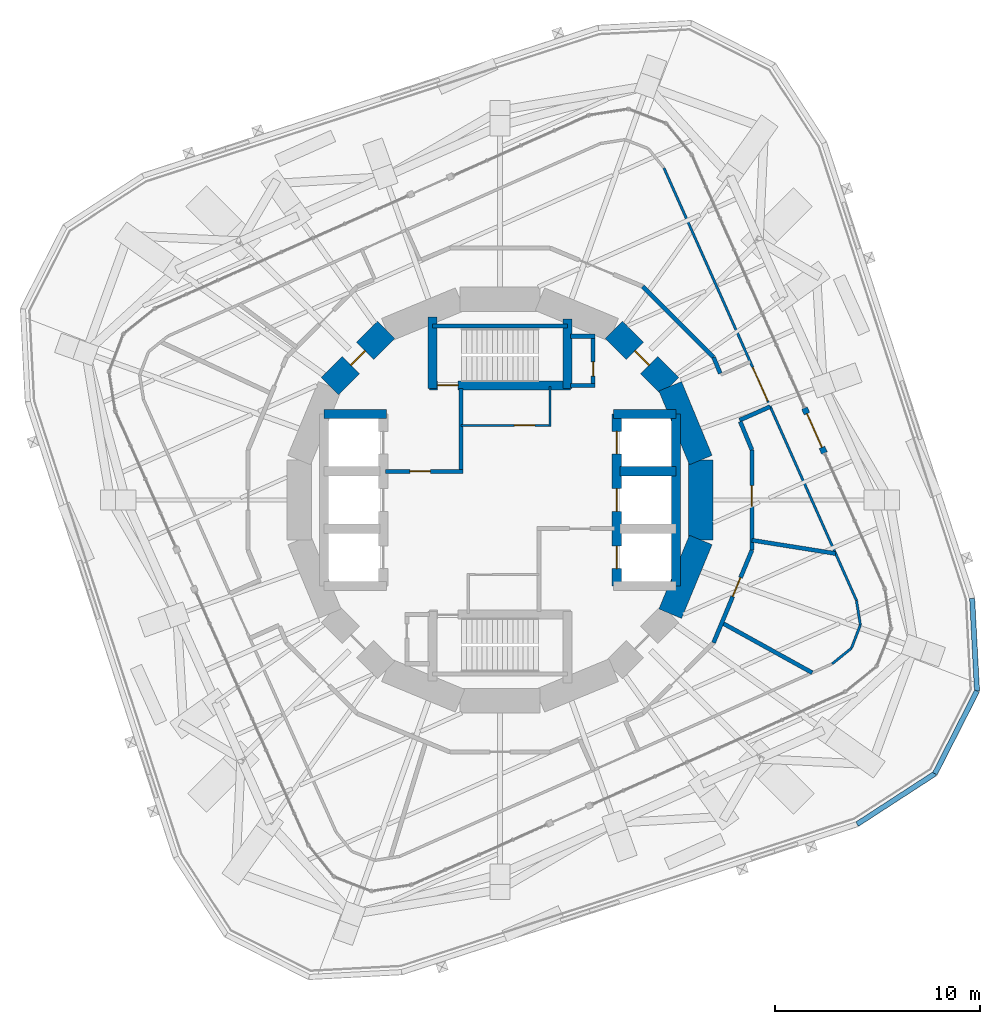
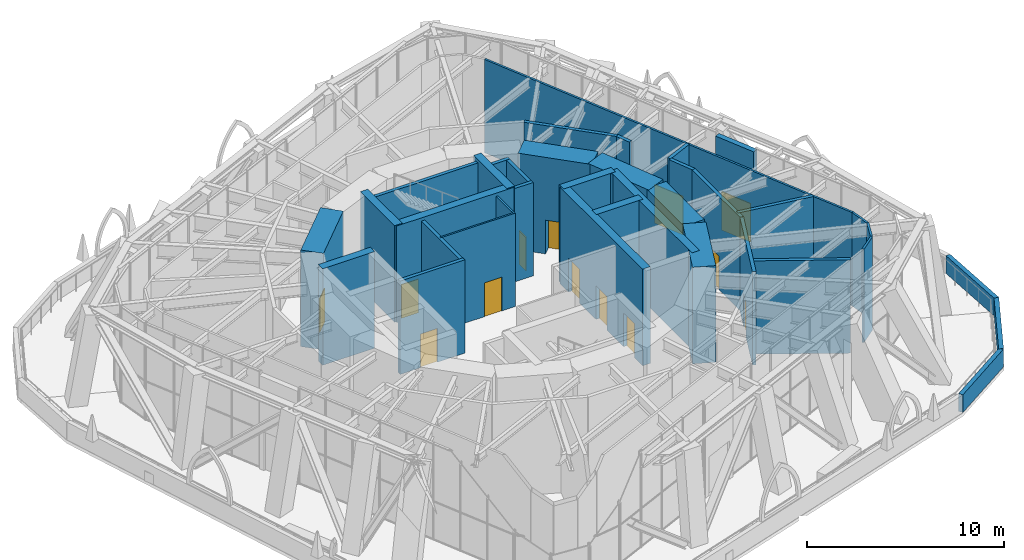
# One storey, part 14 of 18: 37 walls, 13 doors, 13 openings.
"""IFC4 building model written with IfcOpenShell, lengths in metres."""

from ifc_helpers import new_model, si_unit, direction, frame, frame_2d, origin, place, context, subcontext, project, spatial, rectangle, extrude, material, layer, layer_set, type_object, element, fill, save


model = new_model("IFC4")

# Units and contexts
model_context = context("Model", 3, precision=1e-05, world=origin(), true_north=direction((0.0, 1.0)))
body_context = subcontext(model_context, "Body", "Model", "MODEL_VIEW")
ifc_project = project(units=[si_unit("LENGTHUNIT", "METRE"), si_unit("AREAUNIT", "SQUARE_METRE"), si_unit("VOLUMEUNIT", "CUBIC_METRE"), si_unit("PLANEANGLEUNIT", "RADIAN"), si_unit("MASSUNIT", "GRAM", prefix="KILO")], contexts=[model_context])

# Site, building, storey
site_placement = place(None, origin())
site = spatial("IfcSite", under=ifc_project, at=site_placement, CompositionType="ELEMENT")
building_placement = place(site_placement, origin())
building = spatial("IfcBuilding", under=site, at=building_placement, Name="Nakasero Lantern House", CompositionType="ELEMENT")
storey_placement = place(building_placement, frame((0.0, 0.0, 176.449951171875)))
storey = spatial("IfcBuildingStorey", under=building, at=storey_placement, Name="L43", CompositionType="ELEMENT", Elevation=176.449951171875)

# Wall, openings, doors
ifc_material_1 = material(Name="Concrete C50/60", Category="concrete")
ifc_layer_1 = layer(ifc_material_1, 0.449951171875)
ifc_layer_set_1 = layer_set([ifc_layer_1], Name="Core inner wall 450")
wall_type_1 = type_object("IfcWallType", Name="Core inner wall 450", PredefinedType="SHEAR", material=ifc_layer_set_1)
wall_1_placement = place(storey_placement, frame((5.699951171875, -4.199951171875, 0.0), z_axis=(0.0, 0.0, 1.0), x_axis=(0.0, 1.0, 0.0)))
wall_1 = element("IfcWall", 1, at=wall_1_placement, inside=storey, type_object=wall_type_1, Name="Core inner wall L43 LE", PredefinedType="SHEAR", context=body_context, shape_type="SweptSolid", body=[
    extrude(rectangle(XDim=8.39990234375, YDim=0.449951171875, at=frame_2d((4.199951171875, 0.0))), origin(), (0.0, 0.0, 1.0), 6.0),
])
opening_1_placement = place(wall_1_placement, frame((0.85009765625, 0.0, 0.0)))
opening_1 = element("IfcOpeningElement", 2, at=opening_1_placement, cuts=wall_1, Name="Opening LD", PredefinedType="OPENING", context=body_context, shape_type="SweptSolid", body=[
    extrude(rectangle(XDim=1.10009765625, YDim=2.10009765625, at=frame_2d((0.550048828125, 1.050048828125))), frame((0.0, 0.244873046875, 0.0), z_axis=(0.0, -1.0, 0.0), x_axis=(1.0, 0.0, 0.0)), (0.0, 0.0, 1.0), 0.489990234375),
])
opening_2_placement = place(wall_1_placement, frame((3.64990234375, 0.0, 0.0)))
opening_2 = element("IfcOpeningElement", 3, at=opening_2_placement, cuts=wall_1, Name="Opening LD", PredefinedType="OPENING", context=body_context, shape_type="SweptSolid", body=[
    extrude(rectangle(XDim=1.10009765625, YDim=2.10009765625, at=frame_2d((0.550048828125, 1.050048828125))), frame((0.0, 0.244873046875, 0.0), z_axis=(0.0, -1.0, 0.0), x_axis=(1.0, 0.0, 0.0)), (0.0, 0.0, 1.0), 0.489990234375),
])
opening_3_placement = place(wall_1_placement, frame((6.449951171875, 0.0, 0.0)))
opening_3 = element("IfcOpeningElement", 4, at=opening_3_placement, cuts=wall_1, Name="Opening LD", PredefinedType="OPENING", context=body_context, shape_type="SweptSolid", body=[
    extrude(rectangle(XDim=1.10009765625, YDim=2.10009765625, at=frame_2d((0.550048828125, 1.050048828125))), frame((0.0, 0.244873046875, 0.0), z_axis=(0.0, -1.0, 0.0), x_axis=(1.0, 0.0, 0.0)), (0.0, 0.0, 1.0), 0.489990234375),
])
ifc_material_2 = material(Name="Steel S355", Category="steel")
door_type_1 = type_object("IfcDoorType", Name="Lift landing door E120 1100", OperationType="SLIDING_TO_LEFT", PredefinedType="DOOR", material=ifc_material_2)
door_1_placement = place(opening_1_placement, origin())
door_1 = element("IfcDoor", 5, at=door_1_placement, inside=storey, type_object=door_type_1, Name="Lift landing door LE1", OperationType="SLIDING_TO_LEFT", OverallHeight=2.10009765625, OverallWidth=1.10009765625, PredefinedType="DOOR", context=body_context, shape_type="SweptSolid", body=[
    extrude(rectangle(XDim=1.10009765625, YDim=2.10009765625, at=frame_2d((0.550048828125, 1.050048828125))), frame((0.0, 0.02490234375, 0.0), z_axis=(0.0, -1.0, 0.0), x_axis=(1.0, 0.0, 0.0)), (0.0, 0.0, 1.0), 0.050048828125),
])
fill(opening_1, door_1)
door_2_placement = place(opening_2_placement, origin())
door_2 = element("IfcDoor", 6, at=door_2_placement, inside=storey, type_object=door_type_1, Name="Lift landing door LE2", OperationType="SLIDING_TO_LEFT", OverallHeight=2.10009765625, OverallWidth=1.10009765625, PredefinedType="DOOR", context=body_context, shape_type="SweptSolid", body=[
    extrude(rectangle(XDim=1.10009765625, YDim=2.10009765625, at=frame_2d((0.550048828125, 1.050048828125))), frame((0.0, 0.02490234375, 0.0), z_axis=(0.0, -1.0, 0.0), x_axis=(1.0, 0.0, 0.0)), (0.0, 0.0, 1.0), 0.050048828125),
])
fill(opening_2, door_2)
door_3_placement = place(opening_3_placement, origin())
door_3 = element("IfcDoor", 7, at=door_3_placement, inside=storey, type_object=door_type_1, Name="Lift landing door LE3", OperationType="SLIDING_TO_LEFT", OverallHeight=2.10009765625, OverallWidth=1.10009765625, PredefinedType="DOOR", context=body_context, shape_type="SweptSolid", body=[
    extrude(rectangle(XDim=1.10009765625, YDim=2.10009765625, at=frame_2d((0.550048828125, 1.050048828125))), frame((0.0, 0.02490234375, 0.0), z_axis=(0.0, -1.0, 0.0), x_axis=(1.0, 0.0, 0.0)), (0.0, 0.0, 1.0), 0.050048828125),
])
fill(opening_3, door_3)

# Walls
for number, where, z_axis, x_axis, name in (
    (8, (-8.60009765625, 4.199951171875, 0.0), (0.0, 0.0, 1.0), (1.0, 0.0, 0.0), "Core inner wall L43 LWN"),
    (9, (5.550048828125, 4.199951171875, 0.0), (0.0, 0.0, 1.0), (1.0, 0.0, 0.0), "Core inner wall L43 LEN"),
):
    element("IfcWall", number, at=place(storey_placement, frame(where, z_axis=z_axis, x_axis=x_axis)), inside=storey, type_object=wall_type_1, Name=name, PredefinedType="SHEAR", context=body_context, shape_type="SweptSolid", body=[
        extrude(rectangle(XDim=3.050048828125, YDim=0.449951171875, at=frame_2d((1.52490234375, 0.0))), origin(), (0.0, 0.0, 1.0), 6.0),
    ])
wall_2_placement = place(storey_placement, frame((8.60009765625, -4.199951171875, 0.0), z_axis=(0.0, 0.0, 1.0), x_axis=(0.0, 1.0, 0.0)))
element("IfcWall", 10, at=wall_2_placement, inside=storey, type_object=wall_type_1, Name="Core inner wall L43 LEB", PredefinedType="SHEAR", context=body_context, shape_type="SweptSolid", body=[
    extrude(rectangle(XDim=8.39990234375, YDim=0.449951171875, at=frame_2d((4.199951171875, 0.0))), origin(), (0.0, 0.0, 1.0), 6.0),
])
wall_3_placement = place(storey_placement, frame((5.85009765625, 1.39990234375, 0.0), z_axis=(0.0, 0.0, 1.0), x_axis=(1.0, 0.0, 0.0)))
element("IfcWall", 11, at=wall_3_placement, inside=storey, type_object=wall_type_1, Name="Core inner wall L43 LE2", PredefinedType="SHEAR", context=body_context, shape_type="SweptSolid", body=[
    extrude(rectangle(XDim=2.75, YDim=0.449951171875, at=frame_2d((1.375, 0.0))), origin(), (0.0, 0.0, 1.0), 6.0),
])

# Wall, opening, door
wall_4_placement = place(storey_placement, frame((-3.449951171875, 5.60009765625, 0.0), z_axis=(0.0, 0.0, 1.0), x_axis=(1.0, 0.0, 0.0)))
wall_4 = element("IfcWall", 12, at=wall_4_placement, inside=storey, type_object=wall_type_1, Name="Core inner wall L43 SN", PredefinedType="SHEAR", context=body_context, shape_type="SweptSolid", body=[
    extrude(rectangle(XDim=6.89990234375, YDim=0.449951171875, at=frame_2d((3.449951171875, 0.0))), origin(), (0.0, 0.0, 1.0), 6.0),
])
opening_4_placement = place(wall_4_placement, frame((0.39990234375, 0.0, 0.0)))
opening_4 = element("IfcOpeningElement", 13, at=opening_4_placement, cuts=wall_4, Name="Opening D05", PredefinedType="OPENING", context=body_context, shape_type="SweptSolid", body=[
    extrude(rectangle(XDim=1.0, YDim=2.10009765625, at=frame_2d((0.5, 1.050048828125))), frame((0.0, 0.244873046875, 0.0), z_axis=(0.0, -1.0, 0.0), x_axis=(1.0, 0.0, 0.0)), (0.0, 0.0, 1.0), 0.489990234375),
])
ifc_material_3 = material(Name="Timber C24", Category="wood")
door_type_2 = type_object("IfcDoorType", Name="Core door FD60S 1000", OperationType="SINGLE_SWING_LEFT", PredefinedType="DOOR", material=ifc_material_3)
door_4_placement = place(opening_4_placement, origin())
door_4 = element("IfcDoor", 14, at=door_4_placement, inside=storey, type_object=door_type_2, Name="Door L43 D-ST1", OperationType="SINGLE_SWING_LEFT", OverallHeight=2.10009765625, OverallWidth=1.0, PredefinedType="DOOR", context=body_context, shape_type="SweptSolid", body=[
    extrude(rectangle(XDim=1.0, YDim=2.10009765625, at=frame_2d((0.5, 1.050048828125))), frame((0.0, 0.02490234375, 0.0), z_axis=(0.0, -1.0, 0.0), x_axis=(1.0, 0.0, 0.0)), (0.0, 0.0, 1.0), 0.050048828125),
])
fill(opening_4, door_4)

# Walls
wall_5_placement = place(storey_placement, frame((-3.300048828125, 5.449951171875, 0.0), z_axis=(0.0, 0.0, 1.0), x_axis=(0.0, 1.0, 0.0)))
element("IfcWall", 15, at=wall_5_placement, inside=storey, type_object=wall_type_1, Name="Core inner wall L43 SNW", PredefinedType="SHEAR", context=body_context, shape_type="SweptSolid", body=[
    extrude(rectangle(XDim=3.5, YDim=0.449951171875, at=frame_2d((1.75, 0.0))), origin(), (0.0, 0.0, 1.0), 6.0),
])
wall_6_placement = place(storey_placement, frame((3.300048828125, 5.449951171875, 0.0), z_axis=(0.0, 0.0, 1.0), x_axis=(0.0, 1.0, 0.0)))
element("IfcWall", 16, at=wall_6_placement, inside=storey, type_object=wall_type_1, Name="Core inner wall L43 SNE", PredefinedType="SHEAR", context=body_context, shape_type="SweptSolid", body=[
    extrude(rectangle(XDim=3.400146484375, YDim=0.449951171875, at=frame_2d((1.7001953125, 0.0))), origin(), (0.0, 0.0, 1.0), 6.0),
])

# Wall, opening, door
ifc_material_4 = material(Name="Blockwork", Category="masonry")
ifc_layer_2 = layer(ifc_material_4, 0.10009765625)
ifc_layer_set_2 = layer_set([ifc_layer_2], Name="Core room wall 100")
wall_type_2 = type_object("IfcWallType", Name="Core room wall 100", PredefinedType="PARTITIONING", material=ifc_layer_set_2)
wall_7_placement = place(storey_placement, frame((-1.89990234375, 3.64990234375, 0.0), z_axis=(0.0, 0.0, 1.0), x_axis=(1.0, 0.0, 0.0)))
wall_7 = element("IfcWall", 17, at=wall_7_placement, inside=storey, type_object=wall_type_2, Name="Core room wall L43 CR-NES", PredefinedType="PARTITIONING", context=body_context, shape_type="SweptSolid", body=[
    extrude(rectangle(XDim=4.39990234375, YDim=0.10009765625, at=frame_2d((2.199951171875, 0.0))), origin(), (0.0, 0.0, 1.0), 5.800048828125),
])
opening_5_placement = place(wall_7_placement, frame((2.60009765625, 0.0, 0.0)))
opening_5 = element("IfcOpeningElement", 18, at=opening_5_placement, cuts=wall_7, Name="Opening D07", PredefinedType="OPENING", context=body_context, shape_type="SweptSolid", body=[
    extrude(rectangle(XDim=1.0, YDim=2.10009765625, at=frame_2d((0.5, 1.050048828125))), frame((0.0, 0.070068359375, 0.0), z_axis=(0.0, -1.0, 0.0), x_axis=(1.0, 0.0, 0.0)), (0.0, 0.0, 1.0), 0.14013671875),
])
ifc_material_5 = material(Name="Timber C24", Category="wood")
door_type_3 = type_object("IfcDoorType", Name="Room door FD30S 1000", OperationType="SINGLE_SWING_LEFT", PredefinedType="DOOR", material=ifc_material_5)
door_5_placement = place(opening_5_placement, origin())
door_5 = element("IfcDoor", 19, at=door_5_placement, inside=storey, type_object=door_type_3, Name="Door L43 D-CR-NE", OperationType="SINGLE_SWING_RIGHT", OverallHeight=2.10009765625, OverallWidth=1.0, PredefinedType="DOOR", context=body_context, shape_type="SweptSolid", body=[
    extrude(rectangle(XDim=1.0, YDim=2.10009765625, at=frame_2d((0.5, 1.050048828125))), frame((0.0, 0.02490234375, 0.0), z_axis=(0.0, -1.0, 0.0), x_axis=(1.0, 0.0, 0.0)), (0.0, 0.0, 1.0), 0.050048828125),
])
fill(opening_5, door_5)

# Walls
wall_8_placement = place(storey_placement, frame((2.449951171875, 3.60009765625, 0.0), z_axis=(0.0, 0.0, 1.0), x_axis=(0.0, 1.0, 0.0)))
element("IfcWall", 20, at=wall_8_placement, inside=storey, type_object=wall_type_2, Name="Core room wall L43 CR-NEE", PredefinedType="PARTITIONING", context=body_context, shape_type="SweptSolid", body=[
    extrude(rectangle(XDim=1.949951171875, YDim=0.10009765625, at=frame_2d((0.97509765625, 0.0))), origin(), (0.0, 0.0, 1.0), 5.800048828125),
])
ifc_material_6 = material(Name="Concrete C50/60", Category="concrete")
ifc_layer_3 = layer(ifc_material_6, 1.199951171875)
ifc_layer_set_3 = layer_set([ifc_layer_3], Name="Core wall 1200")
wall_type_3 = type_object("IfcWallType", Name="Core wall 1200", PredefinedType="SHEAR", material=ifc_layer_set_3)
wall_9_placement = place(storey_placement, frame((9.807861328125, 1.950927734375, 0.0), z_axis=(0.0, 0.0, 1.0), x_axis=(-0.382690736062, 0.923876507187, 0.0)))
element("IfcWall", 21, at=wall_9_placement, inside=storey, type_object=wall_type_3, Name="Core wall L43 facet 1", PredefinedType="SHEAR", context=body_context, shape_type="SweptSolid", body=[
    extrude(rectangle(XDim=3.90185546875, YDim=1.199951171875, at=frame_2d((1.950927734375, 0.0))), origin(), (0.0, 0.0, 1.0), 6.0),
])

# Wall, opening, door
wall_10_placement = place(storey_placement, frame((8.314697265625, 5.5556640625, 0.0), z_axis=(0.0, 0.0, 1.0), x_axis=(-0.707106781187, 0.707106781187, 0.0)))
wall_10 = element("IfcWall", 22, at=wall_10_placement, inside=storey, type_object=wall_type_3, Name="Core wall L43 facet 2", PredefinedType="SHEAR", context=body_context, shape_type="SweptSolid", body=[
    extrude(rectangle(XDim=3.90185546875, YDim=1.199951171875, at=frame_2d((1.950927734375, 0.0))), origin(), (0.0, 0.0, 1.0), 6.0),
])
opening_6_placement = place(wall_10_placement, frame((1.450927734375, 0.0, 0.0)))
opening_6 = element("IfcOpeningElement", 23, at=opening_6_placement, cuts=wall_10, Name="Opening D05", PredefinedType="OPENING", context=body_context, shape_type="SweptSolid", body=[
    extrude(rectangle(XDim=1.0, YDim=2.10009765625, at=frame_2d((0.5, 1.050048828125))), frame((0.0, 0.619873046875, 0.0), z_axis=(0.0, -1.0, 0.0), x_axis=(1.0, 0.0, 0.0)), (0.0, 0.0, 1.0), 1.239990234375),
])
door_6_placement = place(opening_6_placement, origin())
door_6 = element("IfcDoor", 24, at=door_6_placement, inside=storey, type_object=door_type_2, Name="Door L43 D-CORE02", OperationType="SINGLE_SWING_LEFT", OverallHeight=2.10009765625, OverallWidth=1.0, PredefinedType="DOOR", context=body_context, shape_type="SweptSolid", body=[
    extrude(rectangle(XDim=1.0, YDim=2.10009765625, at=frame_2d((0.5, 1.050048828125))), frame((0.0, 0.02490234375, 0.0), z_axis=(0.0, -1.0, 0.0), x_axis=(1.0, 0.0, 0.0)), (0.0, 0.0, 1.0), 0.050048828125),
])
fill(opening_6, door_6)

wall_11_placement = place(storey_placement, frame((-5.5556640625, 8.314697265625, 0.0), z_axis=(0.0, 0.0, 1.0), x_axis=(-0.707106781187, -0.707106781187, 0.0)))
wall_11 = element("IfcWall", 25, at=wall_11_placement, inside=storey, type_object=wall_type_3, Name="Core wall L43 facet 6", PredefinedType="SHEAR", context=body_context, shape_type="SweptSolid", body=[
    extrude(rectangle(XDim=3.90185546875, YDim=1.199951171875, at=frame_2d((1.950927734375, 0.0))), origin(), (0.0, 0.0, 1.0), 6.0),
])
opening_7_placement = place(wall_11_placement, frame((1.450927734375, 0.0, 0.0)))
opening_7 = element("IfcOpeningElement", 26, at=opening_7_placement, cuts=wall_11, Name="Opening D05", PredefinedType="OPENING", context=body_context, shape_type="SweptSolid", body=[
    extrude(rectangle(XDim=1.0, YDim=2.10009765625, at=frame_2d((0.5, 1.050048828125))), frame((0.0, 0.619873046875, 0.0), z_axis=(0.0, -1.0, 0.0), x_axis=(1.0, 0.0, 0.0)), (0.0, 0.0, 1.0), 1.239990234375),
])
door_7_placement = place(opening_7_placement, origin())
door_7 = element("IfcDoor", 27, at=door_7_placement, inside=storey, type_object=door_type_2, Name="Door L43 D-CORE06", OperationType="SINGLE_SWING_LEFT", OverallHeight=2.10009765625, OverallWidth=1.0, PredefinedType="DOOR", context=body_context, shape_type="SweptSolid", body=[
    extrude(rectangle(XDim=1.0, YDim=2.10009765625, at=frame_2d((0.5, 1.050048828125))), frame((0.0, 0.02490234375, 0.0), z_axis=(0.0, -1.0, 0.0), x_axis=(1.0, 0.0, 0.0)), (0.0, 0.0, 1.0), 0.050048828125),
])
fill(opening_7, door_7)

# Walls
for number, where, z_axis, x_axis, name in (
    (28, (8.314697265625, -5.5556640625, 0.0), (0.0, 0.0, 1.0), (0.382690736062, 0.923876507187, 0.0), "Core wall L43 facet 15"),
    (29, (9.807861328125, -1.950927734375, 0.0), (0.0, 0.0, 1.0), (0.0, 1.0, 0.0), "Core wall L43 facet 16"),
):
    element("IfcWall", number, at=place(storey_placement, frame(where, z_axis=z_axis, x_axis=x_axis)), inside=storey, type_object=wall_type_3, Name=name, PredefinedType="SHEAR", context=body_context, shape_type="SweptSolid", body=[
        extrude(rectangle(XDim=3.90185546875, YDim=1.199951171875, at=frame_2d((1.950927734375, 0.0))), origin(), (0.0, 0.0, 1.0), 6.0),
    ])

# Wall, opening, door
ifc_material_7 = material(Name="Blockwork", Category="masonry")
ifc_layer_4 = layer(ifc_material_7, 0.199951171875)
ifc_layer_set_4 = layer_set([ifc_layer_4], Name="Corridor wall 200")
wall_type_4 = type_object("IfcWallType", Name="Corridor wall 200", PredefinedType="PARTITIONING", material=ifc_layer_set_4)
wall_12_placement = place(storey_placement, frame((12.307861328125, 2.4482421875, 0.0), z_axis=(0.0, 0.0, 1.0), x_axis=(0.0, -1.0, 0.0)))
wall_12 = element("IfcWall", 30, at=wall_12_placement, inside=storey, type_object=wall_type_4, Name="Corridor wall L43 TC00", PredefinedType="PARTITIONING", context=body_context, shape_type="SweptSolid", body=[
    extrude(rectangle(XDim=4.896484375, YDim=0.199951171875, at=frame_2d((2.4482421875, 0.0))), origin(), (0.0, 0.0, 1.0), 5.800048828125),
])
opening_8_placement = place(wall_12_placement, frame((1.74462890625, 0.0, 0.0)))
opening_8 = element("IfcOpeningElement", 31, at=opening_8_placement, cuts=wall_12, Name="Opening D13", PredefinedType="OPENING", context=body_context, shape_type="SweptSolid", body=[
    extrude(rectangle(XDim=1.0, YDim=2.10009765625, at=frame_2d((0.5, 1.050048828125))), frame((0.0, 0.119873046875, 0.0), z_axis=(0.0, -1.0, 0.0), x_axis=(1.0, 0.0, 0.0)), (0.0, 0.0, 1.0), 0.239990234375),
])
ifc_material_8 = material(Name="Steel S355", Category="steel")
door_type_4 = type_object("IfcDoorType", Name="Plant room door FD60 1000", OperationType="SINGLE_SWING_LEFT", PredefinedType="DOOR", material=ifc_material_8)
door_8_placement = place(opening_8_placement, origin())
door_8 = element("IfcDoor", 32, at=door_8_placement, inside=storey, type_object=door_type_4, Name="Door L43 TDR32", OperationType="SINGLE_SWING_LEFT", OverallHeight=2.10009765625, OverallWidth=1.0, PredefinedType="DOOR", context=body_context, shape_type="SweptSolid", body=[
    extrude(rectangle(XDim=1.0, YDim=2.10009765625, at=frame_2d((0.5, 1.050048828125))), frame((0.0, 0.02490234375, 0.0), z_axis=(0.0, -1.0, 0.0), x_axis=(1.0, 0.0, 0.0)), (0.0, 0.0, 1.0), 0.050048828125),
])
fill(opening_8, door_8)

wall_13_placement = place(storey_placement, frame((12.307861328125, -2.4482421875, 0.0), z_axis=(0.0, 0.0, 1.0), x_axis=(-0.382685002919, -0.923878881965, 0.0)))
wall_13 = element("IfcWall", 33, at=wall_13_placement, inside=storey, type_object=wall_type_4, Name="Corridor wall L43 TC01", PredefinedType="PARTITIONING", context=body_context, shape_type="SweptSolid", body=[
    extrude(rectangle(XDim=4.896484375, YDim=0.199951171875, at=frame_2d((2.4482421875, 0.0))), origin(), (0.0, 0.0, 1.0), 5.800048828125),
])
opening_9_placement = place(wall_13_placement, frame((1.457763671875, 0.0, 0.0)))
opening_9 = element("IfcOpeningElement", 34, at=opening_9_placement, cuts=wall_13, Name="Opening D13", PredefinedType="OPENING", context=body_context, shape_type="SweptSolid", body=[
    extrude(rectangle(XDim=1.0, YDim=2.10009765625, at=frame_2d((0.5, 1.050048828125))), frame((0.0, 0.119873046875, 0.0), z_axis=(0.0, -1.0, 0.0), x_axis=(1.0, 0.0, 0.0)), (0.0, 0.0, 1.0), 0.239990234375),
])
door_9_placement = place(opening_9_placement, origin())
door_9 = element("IfcDoor", 35, at=door_9_placement, inside=storey, type_object=door_type_4, Name="Door L43 TDR31", OperationType="SINGLE_SWING_LEFT", OverallHeight=2.10009765625, OverallWidth=1.0, PredefinedType="DOOR", context=body_context, shape_type="SweptSolid", body=[
    extrude(rectangle(XDim=1.0, YDim=2.10009765625, at=frame_2d((0.5, 1.050048828125))), frame((0.0, 0.02490234375, 0.0), z_axis=(0.0, -1.0, 0.0), x_axis=(1.0, 0.0, 0.0)), (0.0, 0.0, 1.0), 0.050048828125),
])
fill(opening_9, door_9)

# Walls
wall_14_placement = place(storey_placement, frame((6.971923828125, 10.43408203125, 0.0), z_axis=(0.0, 0.0, 1.0), x_axis=(0.707106781187, -0.707106781187, 0.0)))
element("IfcWall", 36, at=wall_14_placement, inside=storey, type_object=wall_type_4, Name="Corridor wall L43 TC17", PredefinedType="PARTITIONING", context=body_context, shape_type="SweptSolid", body=[
    extrude(rectangle(XDim=4.896240234375, YDim=0.199951171875, at=frame_2d((2.4482421875, 0.0))), origin(), (0.0, 0.0, 1.0), 5.800048828125),
])
wall_15_placement = place(storey_placement, frame((10.43408203125, 6.971923828125, 0.0), z_axis=(0.0, 0.0, 1.0), x_axis=(0.382596838469, -0.923915396123, 0.0)))
element("IfcWall", 37, at=wall_15_placement, inside=storey, type_object=wall_type_4, Name="Corridor wall L43 TC18", PredefinedType="PARTITIONING", context=body_context, shape_type="SweptSolid", body=[
    extrude(rectangle(XDim=0.8505859375, YDim=0.199951171875, at=frame_2d((0.42529296875, 0.0))), origin(), (0.0, 0.0, 1.0), 5.800048828125),
])
wall_16_placement = place(storey_placement, frame((11.73583984375, 3.829345703125, 0.0), z_axis=(0.0, 0.0, 1.0), x_axis=(0.382654698548, -0.923891433925, 0.0)))
element("IfcWall", 38, at=wall_16_placement, inside=storey, type_object=wall_type_4, Name="Corridor wall L43 TC19", PredefinedType="PARTITIONING", context=body_context, shape_type="SweptSolid", body=[
    extrude(rectangle(XDim=1.494873046875, YDim=0.199951171875, at=frame_2d((0.74755859375, 0.0))), origin(), (0.0, 0.0, 1.0), 5.800048828125),
])

# Wall, opening, door
ifc_material_9 = material(Name="Concrete C40/50", Category="concrete")
ifc_layer_5 = layer(ifc_material_9, 0.300048828125)
ifc_layer_set_5 = layer_set([ifc_layer_5], Name="Entrance portal wall 300")
wall_type_5 = type_object("IfcWallType", Name="Entrance portal wall 300", PredefinedType="SOLIDWALL", material=ifc_layer_set_5)
wall_17_placement = place(storey_placement, frame((15.849853515625, 2.295166015625, 0.0), z_axis=(0.0, 0.0, 1.0), x_axis=(-0.406808500233, 0.913513461389, 0.0)))
wall_17 = element("IfcWall", 39, at=wall_17_placement, inside=storey, type_object=wall_type_5, Name="Sky lounge door wall L43 0", PredefinedType="SOLIDWALL", context=body_context, shape_type="SweptSolid", body=[
    extrude(rectangle(XDim=2.39990234375, YDim=0.300048828125, at=frame_2d((1.199951171875, 0.0))), origin(), (0.0, 0.0, 1.0), 5.800048828125),
])
opening_10_placement = place(wall_17_placement, frame((0.300048828125, 0.0, 0.0)))
opening_10 = element("IfcOpeningElement", 40, at=opening_10_placement, cuts=wall_17, Name="Opening D10", PredefinedType="OPENING", context=body_context, shape_type="SweptSolid", body=[
    extrude(rectangle(XDim=1.800048828125, YDim=2.39990234375, at=frame_2d((0.89990234375, 1.199951171875))), frame((0.0, 0.169921875, 0.0), z_axis=(0.0, -1.0, 0.0), x_axis=(1.0, 0.0, 0.0)), (0.0, 0.0, 1.0), 0.340087890625),
])
ifc_material_10 = material(Name="Aluminium 6063-T6 and glass", Category="aluminium")
door_type_5 = type_object("IfcDoorType", Name="Sky garden doors 1800x2400", OperationType="DOUBLE_DOOR_SINGLE_SWING", PredefinedType="DOOR", material=ifc_material_10)
door_10_placement = place(opening_10_placement, origin())
door_10 = element("IfcDoor", 41, at=door_10_placement, inside=storey, type_object=door_type_5, Name="Sky garden door L43 0", OperationType="DOUBLE_DOOR_SINGLE_SWING", OverallHeight=2.39990234375, OverallWidth=1.800048828125, PredefinedType="DOOR", context=body_context, shape_type="SweptSolid", body=[
    extrude(rectangle(XDim=1.800048828125, YDim=2.39990234375, at=frame_2d((0.89990234375, 1.199951171875))), frame((0.0, 0.02490234375, 0.0), z_axis=(0.0, -1.0, 0.0), x_axis=(1.0, 0.0, 0.0)), (0.0, 0.0, 1.0), 0.050048828125),
])
fill(opening_10, door_10)

ifc_material_11 = material(Name="Blockwork", Category="masonry")
ifc_layer_6 = layer(ifc_material_11, 0.199951171875)
ifc_layer_set_6 = layer_set([ifc_layer_6], Name="Fire lobby wall 200")
wall_type_6 = type_object("IfcWallType", Name="Fire lobby wall 200", PredefinedType="PARTITIONING", material=ifc_layer_set_6)
wall_18_placement = place(storey_placement, frame((-5.60009765625, 1.39990234375, 0.0), z_axis=(0.0, 0.0, 1.0), x_axis=(1.0, 0.0, 0.0)))
wall_18 = element("IfcWall", 42, at=wall_18_placement, inside=storey, type_object=wall_type_6, Name="Fire lobby wall L43 W-FL1S", PredefinedType="PARTITIONING", context=body_context, shape_type="SweptSolid", body=[
    extrude(rectangle(XDim=3.800048828125, YDim=0.199951171875, at=frame_2d((1.89990234375, 0.0))), origin(), (0.0, 0.0, 1.0), 5.800048828125),
])
opening_11_placement = place(wall_18_placement, frame((1.199951171875, 0.0, 0.0)))
opening_11 = element("IfcOpeningElement", 43, at=opening_11_placement, cuts=wall_18, Name="Opening D05", PredefinedType="OPENING", context=body_context, shape_type="SweptSolid", body=[
    extrude(rectangle(XDim=1.0, YDim=2.10009765625, at=frame_2d((0.5, 1.050048828125))), frame((0.0, 0.119873046875, 0.0), z_axis=(0.0, -1.0, 0.0), x_axis=(1.0, 0.0, 0.0)), (0.0, 0.0, 1.0), 0.239990234375),
])
door_11_placement = place(opening_11_placement, origin())
door_11 = element("IfcDoor", 44, at=door_11_placement, inside=storey, type_object=door_type_2, Name="Door L43 D-FL1", OperationType="SINGLE_SWING_LEFT", OverallHeight=2.10009765625, OverallWidth=1.0, PredefinedType="DOOR", context=body_context, shape_type="SweptSolid", body=[
    extrude(rectangle(XDim=1.0, YDim=2.10009765625, at=frame_2d((0.5, 1.050048828125))), frame((0.0, 0.02490234375, 0.0), z_axis=(0.0, -1.0, 0.0), x_axis=(1.0, 0.0, 0.0)), (0.0, 0.0, 1.0), 0.050048828125),
])
fill(opening_11, door_11)

# Wall
wall_19_placement = place(storey_placement, frame((-1.89990234375, 1.5, 0.0), z_axis=(0.0, 0.0, 1.0), x_axis=(0.0, 1.0, 0.0)))
element("IfcWall", 45, at=wall_19_placement, inside=storey, type_object=wall_type_6, Name="Fire lobby wall L43 W-FL1E", PredefinedType="PARTITIONING", context=body_context, shape_type="SweptSolid", body=[
    extrude(rectangle(XDim=3.949951171875, YDim=0.199951171875, at=frame_2d((1.97509765625, 0.0))), origin(), (0.0, 0.0, 1.0), 5.800048828125),
])

# Wall, opening, door
wall_20_placement = place(storey_placement, frame((4.550048828125, 5.60009765625, 0.0), z_axis=(0.0, 0.0, 1.0), x_axis=(0.0, 1.0, 0.0)))
wall_20 = element("IfcWall", 46, at=wall_20_placement, inside=storey, type_object=wall_type_6, Name="Fire lobby wall L43 W-RS1E", PredefinedType="PARTITIONING", context=body_context, shape_type="SweptSolid", body=[
    extrude(rectangle(XDim=2.39990234375, YDim=0.199951171875, at=frame_2d((1.199951171875, 0.0))), origin(), (0.0, 0.0, 1.0), 5.800048828125),
])
opening_12_placement = place(wall_20_placement, frame((0.449951171875, 0.0, 0.0)))
opening_12 = element("IfcOpeningElement", 47, at=opening_12_placement, cuts=wall_20, Name="Opening D06", PredefinedType="OPENING", context=body_context, shape_type="SweptSolid", body=[
    extrude(rectangle(XDim=0.699951171875, YDim=2.10009765625, at=frame_2d((0.35009765625, 1.050048828125))), frame((0.0, 0.119873046875, 0.0), z_axis=(0.0, -1.0, 0.0), x_axis=(1.0, 0.0, 0.0)), (0.0, 0.0, 1.0), 0.239990234375),
])
ifc_material_12 = material(Name="Steel S355", Category="steel")
door_type_6 = type_object("IfcDoorType", Name="Riser door FD60 700", OperationType="SINGLE_SWING_LEFT", PredefinedType="DOOR", material=ifc_material_12)
door_12_placement = place(opening_12_placement, origin())
door_12 = element("IfcDoor", 48, at=door_12_placement, inside=storey, type_object=door_type_6, Name="Door L43 D-RS1", OperationType="SINGLE_SWING_LEFT", OverallHeight=2.10009765625, OverallWidth=0.699951171875, PredefinedType="DOOR", context=body_context, shape_type="SweptSolid", body=[
    extrude(rectangle(XDim=0.699951171875, YDim=2.10009765625, at=frame_2d((0.35009765625, 1.050048828125))), frame((0.0, 0.02490234375, 0.0), z_axis=(0.0, -1.0, 0.0), x_axis=(1.0, 0.0, 0.0)), (0.0, 0.0, 1.0), 0.050048828125),
])
fill(opening_12, door_12)

# Walls
for number, where, z_axis, x_axis, name in (
    (49, (3.449951171875, 8.0, 0.0), (0.0, 0.0, 1.0), (1.0, 0.0, 0.0), "Fire lobby wall L43 W-RS1N"),
    (50, (3.449951171875, 5.60009765625, 0.0), (0.0, 0.0, 1.0), (1.0, 0.0, 0.0), "Fire lobby wall L43 W-RS1S"),
):
    element("IfcWall", number, at=place(storey_placement, frame(where, z_axis=z_axis, x_axis=x_axis)), inside=storey, type_object=wall_type_6, Name=name, PredefinedType="PARTITIONING", context=body_context, shape_type="SweptSolid", body=[
        extrude(rectangle(XDim=1.199951171875, YDim=0.199951171875, at=frame_2d((0.60009765625, 0.0))), origin(), (0.0, 0.0, 1.0), 5.800048828125),
    ])
wall_21_placement = place(storey_placement, frame((-3.300048828125, 8.5, 0.0), z_axis=(0.0, 0.0, 1.0), x_axis=(1.0, 0.0, 0.0)))
element("IfcWall", 51, at=wall_21_placement, inside=storey, type_object=wall_type_6, Name="Fire lobby wall L43 W-STN", PredefinedType="PARTITIONING", context=body_context, shape_type="SweptSolid", body=[
    extrude(rectangle(XDim=6.60009765625, YDim=0.199951171875, at=frame_2d((3.300048828125, 0.0))), origin(), (0.0, 0.0, 1.0), 5.800048828125),
])
wall_22_placement = place(storey_placement, frame((10.83837890625, -5.99609375, 0.0), z_axis=(0.0, 0.0, 1.0), x_axis=(0.875020959417, -0.484085034453, 0.0)))
element("IfcWall", 52, at=wall_22_placement, inside=storey, type_object=wall_type_6, Name="Fire lobby wall L43 TD30", PredefinedType="PARTITIONING", context=body_context, shape_type="SweptSolid", body=[
    extrude(rectangle(XDim=5.04541015625, YDim=0.199951171875, at=frame_2d((2.522705078125, 0.0))), origin(), (0.0, 0.0, 1.0), 5.800048828125),
])
wall_23_placement = place(storey_placement, frame((12.307861328125, -1.965087890625, 0.0), z_axis=(0.0, 0.0, 1.0), x_axis=(0.987500927159, -0.157613193798, 0.0)))
element("IfcWall", 53, at=wall_23_placement, inside=storey, type_object=wall_type_6, Name="Fire lobby wall L43 TD31", PredefinedType="PARTITIONING", context=body_context, shape_type="SweptSolid", body=[
    extrude(rectangle(XDim=4.138916015625, YDim=0.199951171875, at=frame_2d((2.0693359375, 0.0))), origin(), (0.0, 0.0, 1.0), 5.800048828125),
])
wall_24_placement = place(storey_placement, frame((11.70703125, 3.898681640625, 0.0), z_axis=(0.0, 0.0, 1.0), x_axis=(0.913515268671, 0.406804441844, 0.0)))
element("IfcWall", 54, at=wall_24_placement, inside=storey, type_object=wall_type_6, Name="Fire lobby wall L43 TP0R", PredefinedType="PARTITIONING", context=body_context, shape_type="SweptSolid", body=[
    extrude(rectangle(XDim=1.63232421875, YDim=0.199951171875, at=frame_2d((0.816162109375, 0.0))), origin(), (0.0, 0.0, 1.0), 5.800048828125),
])

# Wall, opening, door
ifc_material_13 = material(Name="Aluminium 6063-T6 and glass", Category="aluminium")
ifc_layer_7 = layer(ifc_material_13, 0.1201171875)
ifc_layer_set_7 = layer_set([ifc_layer_7], Name="Glazed screen 120")
wall_type_7 = type_object("IfcWallType", Name="Glazed screen 120", PredefinedType="PARTITIONING", material=ifc_layer_set_7)
wall_25_placement = place(storey_placement, frame((17.413330078125, -4.904296875, 0.0), z_axis=(0.0, 0.0, 1.0), x_axis=(-0.406741761514, 0.91354317875, 0.0)))
wall_25 = element("IfcWall", 55, at=wall_25_placement, inside=storey, type_object=wall_type_7, Name="Glazed screen L43 WG0S", PredefinedType="PARTITIONING", context=body_context, shape_type="SweptSolid", body=[
    extrude(rectangle(XDim=23.125732421875, YDim=0.1201171875, at=frame_2d((11.56298828125, 0.0))), origin(), (0.0, 0.0, 1.0), 5.800048828125),
])
opening_13_placement = place(wall_25_placement, frame((10.6630859375, 0.0, 0.0)))
opening_13 = element("IfcOpeningElement", 56, at=opening_13_placement, cuts=wall_25, Name="Opening D18", PredefinedType="OPENING", context=body_context, shape_type="SweptSolid", body=[
    extrude(rectangle(XDim=1.800048828125, YDim=2.39990234375, at=frame_2d((0.89990234375, 1.199951171875))), frame((0.0, 0.080078125, 0.0), z_axis=(0.0, -1.0, 0.0), x_axis=(1.0, 0.0, 0.0)), (0.0, 0.0, 1.0), 0.16015625),
])
ifc_material_14 = material(Name="Aluminium 6063-T6 and glass", Category="aluminium")
door_type_7 = type_object("IfcDoorType", Name="Glazed screen door 1800", OperationType="DOUBLE_DOOR_SINGLE_SWING", PredefinedType="DOOR", material=ifc_material_14)
door_13_placement = place(opening_13_placement, origin())
door_13 = element("IfcDoor", 57, at=door_13_placement, inside=storey, type_object=door_type_7, Name="Door L43 DW0", OperationType="DOUBLE_DOOR_SINGLE_SWING", OverallHeight=2.39990234375, OverallWidth=1.800048828125, PredefinedType="DOOR", context=body_context, shape_type="SweptSolid", body=[
    extrude(rectangle(XDim=1.800048828125, YDim=2.39990234375, at=frame_2d((0.89990234375, 1.199951171875))), frame((0.0, 0.02490234375, 0.0), z_axis=(0.0, -1.0, 0.0), x_axis=(1.0, 0.0, 0.0)), (0.0, 0.0, 1.0), 0.050048828125),
])
fill(opening_13, door_13)

# Walls
wall_26_placement = place(storey_placement, frame((16.22216796875, -8.007080078125, 0.0), z_axis=(0.0, 0.0, 1.0), x_axis=(0.777174770646, 0.629284812999, 0.0)))
element("IfcWall", 58, at=wall_26_placement, inside=storey, type_object=wall_type_7, Name="Glazed screen L43 WG3C1", PredefinedType="PARTITIONING", context=body_context, shape_type="SweptSolid", body=[
    extrude(rectangle(XDim=1.216552734375, YDim=0.1201171875, at=frame_2d((0.6083984375, 0.0))), origin(), (0.0, 0.0, 1.0), 5.800048828125),
])
wall_27_placement = place(storey_placement, frame((17.167724609375, -7.241455078125, 0.0), z_axis=(0.0, 0.0, 1.0), x_axis=(0.358306430795, 0.933604039007, 0.0)))
element("IfcWall", 59, at=wall_27_placement, inside=storey, type_object=wall_type_7, Name="Glazed screen L43 WG3C2", PredefinedType="PARTITIONING", context=body_context, shape_type="SweptSolid", body=[
    extrude(rectangle(XDim=1.21630859375, YDim=0.1201171875, at=frame_2d((0.608154296875, 0.0))), origin(), (0.0, 0.0, 1.0), 5.800048828125),
])
wall_28_placement = place(storey_placement, frame((17.603515625, -6.10595703125, 0.0), z_axis=(0.0, 0.0, 1.0), x_axis=(-0.156323229724, 0.987705952118, 0.0)))
element("IfcWall", 60, at=wall_28_placement, inside=storey, type_object=wall_type_7, Name="Glazed screen L43 WG3C3", PredefinedType="PARTITIONING", context=body_context, shape_type="SweptSolid", body=[
    extrude(rectangle(XDim=1.216552734375, YDim=0.1201171875, at=frame_2d((0.6083984375, 0.0))), origin(), (0.0, 0.0, 1.0), 5.800048828125),
])
ifc_material_15 = material(Name="Concrete C35/45", Category="concrete")
ifc_layer_8 = layer(ifc_material_15, 0.25)
ifc_layer_set_8 = layer_set([ifc_layer_8], Name="Parapet 250")
wall_type_8 = type_object("IfcWallType", Name="Parapet 250", PredefinedType="SOLIDWALL", material=ifc_layer_set_8)
for number, where, z_axis, x_axis, name in (
    (61, (17.44677734375, -15.83349609375, 0.0), (0.0, 0.0, 1.0), (0.838673836229, 0.544634002266, 0.0), "Parapet L43 PP3C1"),
    (62, (21.245361328125, -13.36669921875, 0.0), (0.0, 0.0, 1.0), (0.454013792196, 0.890994655705, 0.0), "Parapet L43 PP3C2"),
    (63, (23.3017578125, -9.3310546875, 0.0), (0.0, 0.0, 1.0), (-0.052338164079, 0.998629419044, 0.0), "Parapet L43 PP3C3"),
):
    element("IfcWall", number, at=place(storey_placement, frame(where, z_axis=z_axis, x_axis=x_axis)), inside=storey, type_object=wall_type_8, Name=name, PredefinedType="SOLIDWALL", context=body_context, shape_type="SweptSolid", body=[
        extrude(rectangle(XDim=4.529296875, YDim=0.25, at=frame_2d((2.2646484375, 0.0))), origin(), (0.0, 0.0, 1.0), 1.10009765625),
    ])

save(model, "model.ifc")
